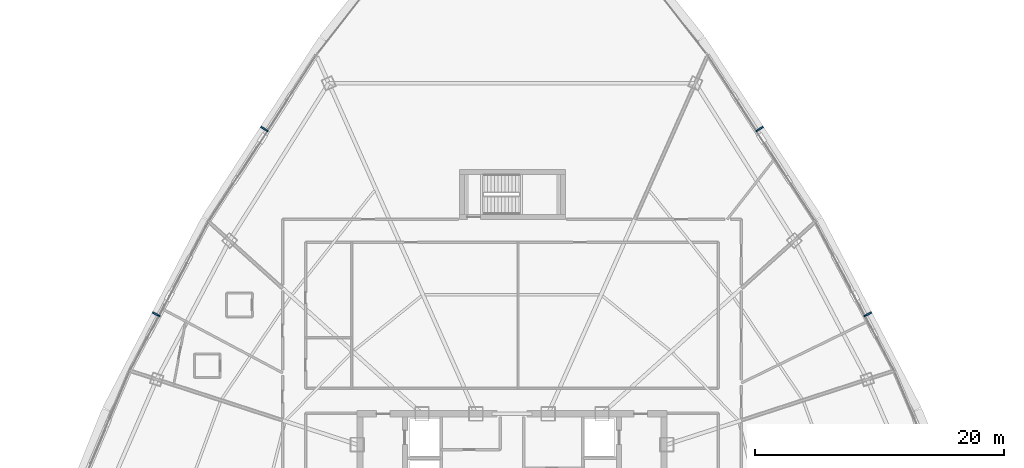
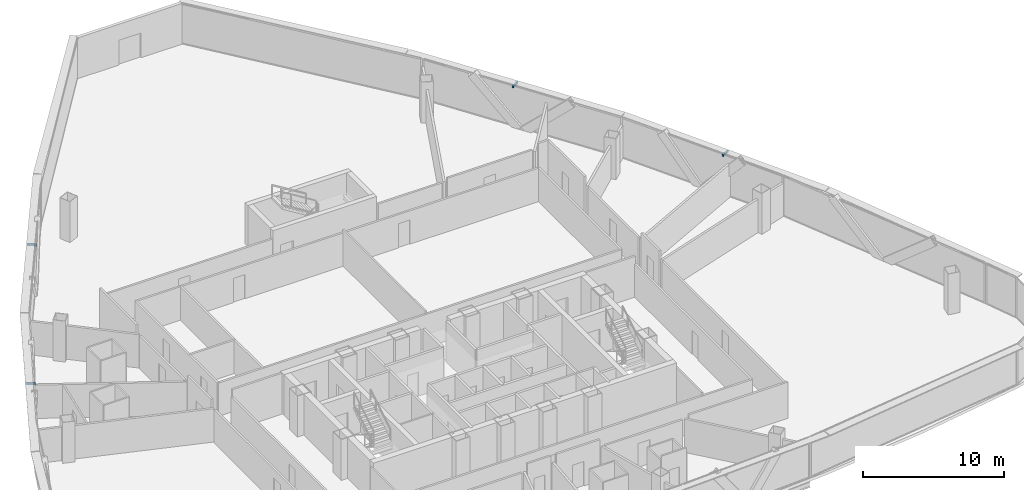
# One storey, part 36 of 40: 4 discrete accessories.
"""IFC4 building model written with IfcOpenShell, lengths in metres."""

from ifc_helpers import new_model, si_unit, direction, frame, origin, origin_2d, place, context, subcontext, project, spatial, rectangle, extrude, source, transform, mapped, material, type_object, element, save


model = new_model("IFC4")

# Units and contexts
model_context = context("Model", 3, precision=1e-05, world=origin(), true_north=direction((0.0, 1.0)))
body_context = subcontext(model_context, "Body", "Model", "MODEL_VIEW")
ifc_project = project(units=[si_unit("LENGTHUNIT", "METRE"), si_unit("AREAUNIT", "SQUARE_METRE"), si_unit("VOLUMEUNIT", "CUBIC_METRE"), si_unit("PLANEANGLEUNIT", "RADIAN"), si_unit("MASSUNIT", "GRAM", prefix="KILO"), si_unit("THERMODYNAMICTEMPERATUREUNIT", "KELVIN"), si_unit("POWERUNIT", "WATT")], contexts=[model_context])

# Site, building, storey
site_placement = place(None, origin())
site = spatial("IfcSite", under=ifc_project, at=site_placement, CompositionType="ELEMENT")
building_placement = place(site_placement, origin())
building = spatial("IfcBuilding", under=site, at=building_placement, Name="Yunzhuo Pagoda Commons", CompositionType="ELEMENT")
storey_placement = place(building_placement, frame((0.0, 0.0, 184.760009765625)))
storey = spatial("IfcBuildingStorey", under=building, at=storey_placement, Name="L46", CompositionType="ELEMENT", Elevation=184.760009765625)

# Discrete accessories
ifc_material = material(Name="Anodized aluminium 6063-T6", Category="aluminium")
discrete_accessory_type = type_object("IfcDiscreteAccessoryType", Name="BK-SUN1 Sunshade Outrigger Bracket", PredefinedType="BRACKET", material=ifc_material)
shared_shape = source(origin(), body_context, "Body", "SweptSolid", [
    extrude(rectangle(XDim=0.1201171875, YDim=0.679931640625, at=origin_2d()), origin(), (0.0, 0.0, 1.0), 0.179931640625),
])
for number, where, z_axis, x_axis, name in (
    (1, (76.5322265625, 48.178466796875, 3.330078125), (0.0, 0.0, 1.0), (-0.461206683033, 0.88729273384, 0.0), "L46 sunshade outrigger bracket F2.2"),
    (2, (67.8564453125, 63.041259765625, 3.330078125), (0.0, 0.0, 1.0), (-0.545838756973, 0.837890238269, 0.0), "L46 sunshade outrigger bracket F2.3"),
    (3, (28.1435546875, 63.041259765625, 3.330078125), (0.0, 0.0, 1.0), (-0.545838756973, -0.837890238269, 0.0), "L46 sunshade outrigger bracket F3.2"),
    (4, (19.4677734375, 48.178466796875, 3.330078125), (0.0, 0.0, 1.0), (-0.461206683033, -0.88729273384, 0.0), "L46 sunshade outrigger bracket F3.3"),
):
    element("IfcDiscreteAccessory", number, at=place(storey_placement, frame(where, z_axis=z_axis, x_axis=x_axis)), inside=storey, type_object=discrete_accessory_type, Name=name, PredefinedType="BRACKET", context=body_context, shape_type="MappedRepresentation", body=[
        mapped(shared_shape, transform((0.0, 0.0, 0.0), scale=1.0)),
    ])

save(model, "model.ifc")
